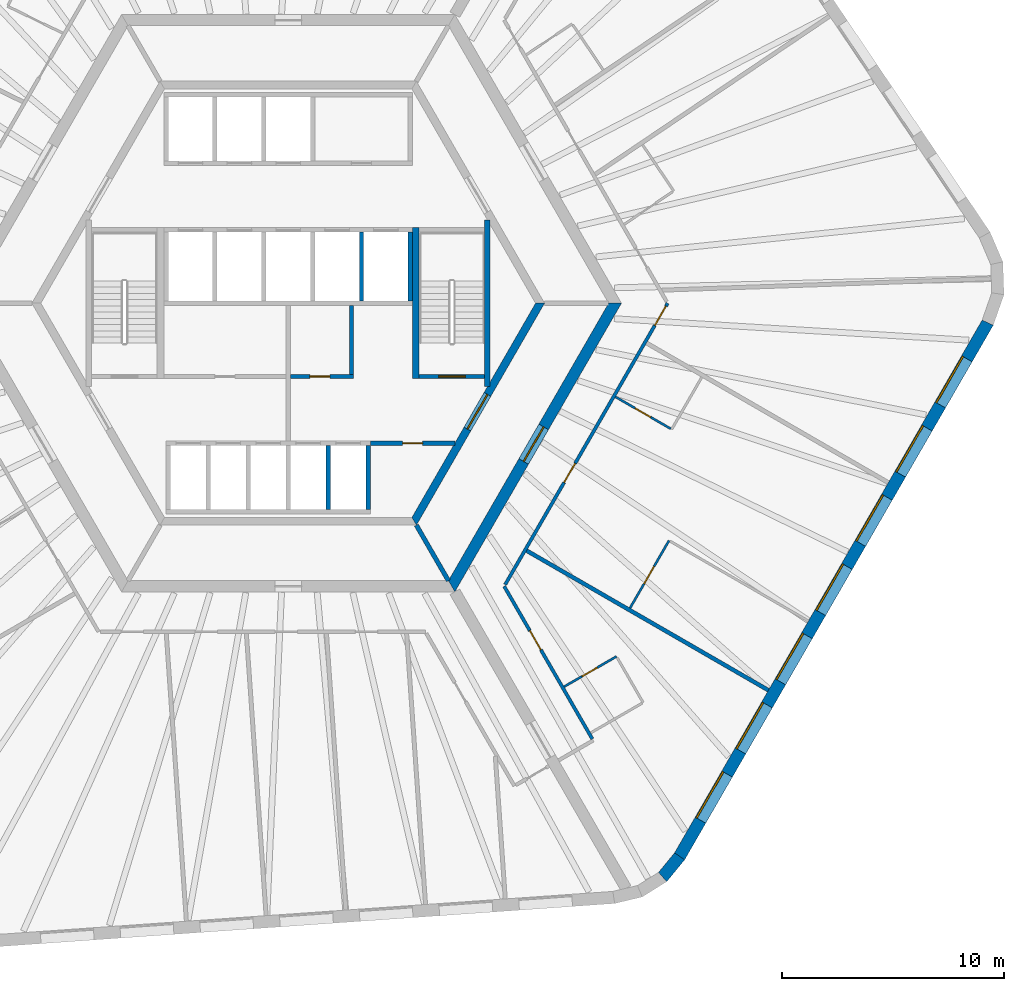
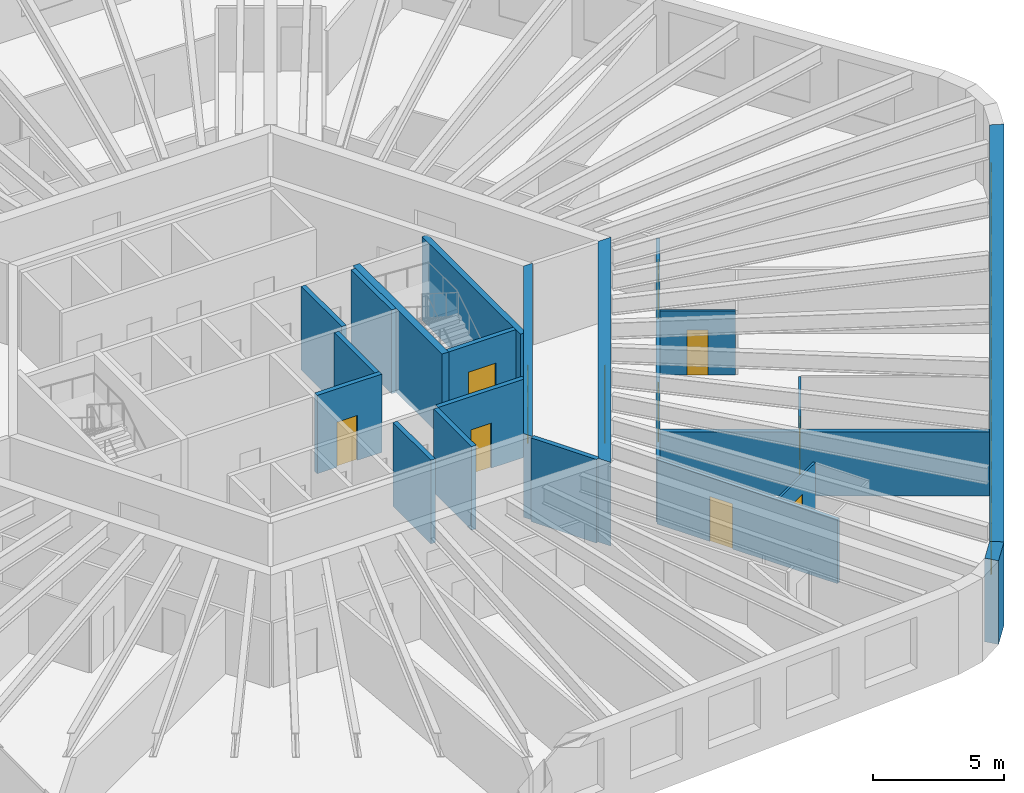
# One storey, part 5 of 10: 21 walls, 11 doors, 7 windows, 18 openings.
"""IFC4 building model written with IfcOpenShell, lengths in metres."""

from ifc_helpers import new_model, si_unit, direction, frame, frame_2d, origin, place, context, subcontext, project, spatial, polyline, rectangle, outline, extrude, material, layer, layer_set, type_object, element, fill, save


model = new_model("IFC4")

# Units and contexts
model_context = context("Model", 3, precision=1e-05, world=origin(), true_north=direction((0.0, 1.0)))
body_context = subcontext(model_context, "Body", "Model", "MODEL_VIEW")
ifc_project = project(units=[si_unit("LENGTHUNIT", "METRE"), si_unit("AREAUNIT", "SQUARE_METRE"), si_unit("VOLUMEUNIT", "CUBIC_METRE"), si_unit("PLANEANGLEUNIT", "RADIAN"), si_unit("MASSUNIT", "GRAM", prefix="KILO")], contexts=[model_context])

# Site, building, storey
site_placement = place(None, origin())
site = spatial("IfcSite", under=ifc_project, at=site_placement, CompositionType="ELEMENT")
building_placement = place(site_placement, origin())
building = spatial("IfcBuilding", under=site, at=building_placement, Name="Tarnside Tower", CompositionType="ELEMENT")
storey_placement = place(building_placement, frame((0.0, 0.0, 234.60009765625)))
storey = spatial("IfcBuildingStorey", under=building, at=storey_placement, Name="L56", CompositionType="ELEMENT", Elevation=234.60009765625)

# Wall, opening, door
ifc_material_1 = material(Name="Gypsum board partition on steel studs", Category="steel")
ifc_layer_1 = layer(ifc_material_1, 0.10009765625)
ifc_layer_set_1 = layer_set([ifc_layer_1], Name="Bathroom wall 100")
wall_type_1 = type_object("IfcWallType", Name="Bathroom wall 100", PredefinedType="PARTITIONING", material=ifc_layer_set_1)
wall_1_placement = place(storey_placement, frame((12.4267578125, -17.273681640625, 0.0), z_axis=(0.0, 0.0, 1.0), x_axis=(0.866051307416, 0.49995513091, 0.0)))
wall_1 = element("IfcWall", 1, at=wall_1_placement, inside=storey, type_object=wall_type_1, Name="Bathroom wall 18087", PredefinedType="PARTITIONING", context=body_context, shape_type="SweptSolid", body=[
    extrude(rectangle(XDim=2.724853515625, YDim=0.10009765625, at=frame_2d((1.3623046875, 0.0))), origin(), (0.0, 0.0, 1.0), 2.98779296875),
])
opening_1_placement = place(wall_1_placement, frame((0.925048828125, 0.0, 0.0)))
opening_1 = element("IfcOpeningElement", 2, at=opening_1_placement, cuts=wall_1, Name="Opening D-B1", PredefinedType="OPENING", context=body_context, shape_type="SweptSolid", body=[
    extrude(rectangle(XDim=0.800048828125, YDim=2.10009765625, at=frame_2d((0.39990234375, 1.050048828125))), frame((0.0, 0.06005859375, 0.0), z_axis=(0.0, -1.0, 0.0), x_axis=(1.0, 0.0, 0.0)), (0.0, 0.0, 1.0), 0.1201171875),
])
ifc_material_2 = material(Name="Timber door leaf", Category="wood")
door_type_1 = type_object("IfcDoorType", Name="Bathroom door 800", OperationType="NOTDEFINED", PredefinedType="DOOR", material=ifc_material_2)
door_1_placement = place(opening_1_placement, origin())
door_1 = element("IfcDoor", 3, at=door_1_placement, inside=storey, type_object=door_type_1, Name="Bathroom door 18025", OperationType="SINGLE_SWING_RIGHT", OverallHeight=2.10009765625, OverallWidth=0.800048828125, PredefinedType="DOOR", context=body_context, shape_type="SweptSolid", body=[
    extrude(rectangle(XDim=0.800048828125, YDim=2.10009765625, at=frame_2d((0.39990234375, 1.050048828125))), frame((0.0, 0.02490234375, 0.0), z_axis=(0.0, -1.0, 0.0), x_axis=(1.0, 0.0, 0.0)), (0.0, 0.0, 1.0), 0.050048828125),
])
fill(opening_1, door_1)

wall_2_placement = place(storey_placement, frame((17.23095703125, -5.6552734375, 0.0), z_axis=(0.0, 0.0, 1.0), x_axis=(-0.866039941686, 0.499974818771, 0.0)))
wall_2 = element("IfcWall", 4, at=wall_2_placement, inside=storey, type_object=wall_type_1, Name="Bathroom wall 18093", PredefinedType="PARTITIONING", context=body_context, shape_type="SweptSolid", body=[
    extrude(rectangle(XDim=2.875244140625, YDim=0.10009765625, at=frame_2d((1.4375, 0.0))), origin(), (0.0, 0.0, 1.0), 2.98779296875),
])
opening_2_placement = place(wall_2_placement, frame((1.050048828125, 0.0, 0.0)))
opening_2 = element("IfcOpeningElement", 5, at=opening_2_placement, cuts=wall_2, Name="Opening D-B1", PredefinedType="OPENING", context=body_context, shape_type="SweptSolid", body=[
    extrude(rectangle(XDim=0.800048828125, YDim=2.10009765625, at=frame_2d((0.39990234375, 1.050048828125))), frame((0.0, 0.06005859375, 0.0), z_axis=(0.0, -1.0, 0.0), x_axis=(1.0, 0.0, 0.0)), (0.0, 0.0, 1.0), 0.1201171875),
])
door_2_placement = place(opening_2_placement, origin())
door_2 = element("IfcDoor", 6, at=door_2_placement, inside=storey, type_object=door_type_1, Name="Bathroom door 18027", OperationType="SINGLE_SWING_LEFT", OverallHeight=2.10009765625, OverallWidth=0.800048828125, PredefinedType="DOOR", context=body_context, shape_type="SweptSolid", body=[
    extrude(rectangle(XDim=0.800048828125, YDim=2.10009765625, at=frame_2d((0.39990234375, 1.050048828125))), frame((0.0, 0.02490234375, 0.0), z_axis=(0.0, -1.0, 0.0), x_axis=(1.0, 0.0, 0.0)), (0.0, 0.0, 1.0), 0.050048828125),
])
fill(opening_2, door_2)

ifc_material_3 = material(Name="Concrete C50/60", Category="concrete")
ifc_layer_2 = layer(ifc_material_3, 0.35009765625)
ifc_layer_set_2 = layer_set([ifc_layer_2], Name="Core block wall 350 C50/60")
wall_type_2 = type_object("IfcWallType", Name="Core block wall 350 C50/60", PredefinedType="SHEAR", material=ifc_layer_set_2)
wall_3_placement = place(storey_placement, frame((5.672607421875, -9.824951171875, -0.150146484375), z_axis=(0.0, 0.0, 1.0), x_axis=(0.499995046907, 0.866028263435, 0.0)))
wall_3 = element("IfcWall", 7, at=wall_3_placement, inside=storey, type_object=wall_type_2, Name="L56 core block wall face 5", PredefinedType="SHEAR", context=body_context, shape_type="SweptSolid", body=[
    extrude(outline(polyline([(-0.10107421875, -0.175048828125), (11.44580078125, -0.175048828125), (11.24365234375, 0.175048828125), (0.10107421875, 0.175048828125), (-0.10107421875, -0.175048828125)])), origin(), (0.0, 0.0, 1.0), 3.900146484375),
])
opening_3_placement = place(wall_3_placement, frame((4.80126953125, 0.0, 0.14990234375)))
opening_3 = element("IfcOpeningElement", 8, at=opening_3_placement, cuts=wall_3, Name="Opening CD-FFL", PredefinedType="OPENING", context=body_context, shape_type="SweptSolid", body=[
    extrude(rectangle(XDim=1.800048828125, YDim=2.39990234375, at=frame_2d((0.89990234375, 1.199951171875))), frame((0.0, 0.18505859375, 0.0), z_axis=(0.0, -1.0, 0.0), x_axis=(1.0, 0.0, 0.0)), (0.0, 0.0, 1.0), 0.3701171875),
])
ifc_material_4 = material(Name="Steel fire door", Category="steel")
door_type_2 = type_object("IfcDoorType", Name="Firefighting lobby double door FD60S 1800x2400", OperationType="NOTDEFINED", PredefinedType="DOOR", material=ifc_material_4)
door_3_placement = place(opening_3_placement, origin())
door_3 = element("IfcDoor", 9, at=door_3_placement, inside=storey, type_object=door_type_2, Name="L56 lobby block door P4", OperationType="DOUBLE_DOOR_SINGLE_SWING", OverallHeight=2.39990234375, OverallWidth=1.800048828125, PredefinedType="DOOR", context=body_context, shape_type="SweptSolid", body=[
    extrude(rectangle(XDim=1.800048828125, YDim=2.39990234375, at=frame_2d((0.89990234375, 1.199951171875))), frame((0.0, 0.02490234375, 0.0), z_axis=(0.0, -1.0, 0.0), x_axis=(1.0, 0.0, 0.0)), (0.0, 0.0, 1.0), 0.050048828125),
])
fill(opening_3, door_3)

ifc_material_5 = material(Name="Concrete C40/50", Category="concrete")
ifc_layer_3 = layer(ifc_material_5, 0.199951171875)
ifc_layer_set_3 = layer_set([ifc_layer_3], Name="Core room partition 200 C40/50")
wall_type_3 = type_object("IfcWallType", Name="Core room partition 200 C40/50", PredefinedType="PARTITIONING", material=ifc_layer_set_3)
wall_4_placement = place(storey_placement, frame((0.10009765625, -3.300048828125, 0.0), z_axis=(0.0, 0.0, 1.0), x_axis=(1.0, 0.0, 0.0)))
wall_4 = element("IfcWall", 10, at=wall_4_placement, inside=storey, type_object=wall_type_3, Name="L56 core partition R3S1", PredefinedType="PARTITIONING", context=body_context, shape_type="SweptSolid", body=[
    extrude(rectangle(XDim=2.849853515625, YDim=0.199951171875, at=frame_2d((1.4248046875, 0.0))), origin(), (0.0, 0.0, 1.0), 3.64990234375),
])
opening_4_placement = place(wall_4_placement, frame((0.875, 0.0, 0.0)))
opening_4 = element("IfcOpeningElement", 11, at=opening_4_placement, cuts=wall_4, Name="Opening CD-room", PredefinedType="OPENING", context=body_context, shape_type="SweptSolid", body=[
    extrude(rectangle(XDim=0.89990234375, YDim=2.10009765625, at=frame_2d((0.449951171875, 1.050048828125))), frame((0.0, 0.10986328125, 0.0), z_axis=(0.0, -1.0, 0.0), x_axis=(1.0, 0.0, 0.0)), (0.0, 0.0, 1.0), 0.219970703125),
])
door_type_3 = type_object("IfcDoorType", Name="Room door FD60 900x2100", OperationType="NOTDEFINED", PredefinedType="DOOR", material=ifc_material_4)
door_4_placement = place(opening_4_placement, origin())
door_4 = element("IfcDoor", 12, at=door_4_placement, inside=storey, type_object=door_type_3, Name="L56 core room door SR1", OperationType="SINGLE_SWING_LEFT", OverallHeight=2.10009765625, OverallWidth=0.89990234375, PredefinedType="DOOR", context=body_context, shape_type="SweptSolid", body=[
    extrude(rectangle(XDim=0.89990234375, YDim=2.10009765625, at=frame_2d((0.449951171875, 1.050048828125))), frame((0.0, 0.02490234375, 0.0), z_axis=(0.0, -1.0, 0.0), x_axis=(1.0, 0.0, 0.0)), (0.0, 0.0, 1.0), 0.050048828125),
])
fill(opening_4, door_4)

# Wall
wall_5_placement = place(storey_placement, frame((2.85009765625, -3.199951171875, 0.0), z_axis=(0.0, 0.0, 1.0), x_axis=(0.0, 1.0, 0.0)))
element("IfcWall", 13, at=wall_5_placement, inside=storey, type_object=wall_type_3, Name="L56 core partition R3P1b", PredefinedType="PARTITIONING", context=body_context, shape_type="SweptSolid", body=[
    extrude(rectangle(XDim=3.099853515625, YDim=0.199951171875, at=frame_2d((1.5498046875, 0.0))), origin(), (0.0, 0.0, 1.0), 3.64990234375),
])

# Wall, opening, door
wall_6_placement = place(storey_placement, frame((3.699951171875, -6.300048828125, 0.0), z_axis=(0.0, 0.0, 1.0), x_axis=(1.0, 0.0, 0.0)))
wall_6 = element("IfcWall", 14, at=wall_6_placement, inside=storey, type_object=wall_type_3, Name="L56 core partition R4X", PredefinedType="PARTITIONING", context=body_context, shape_type="SweptSolid", body=[
    extrude(rectangle(XDim=3.8056640625, YDim=0.199951171875, at=frame_2d((1.90283203125, 0.0))), origin(), (0.0, 0.0, 1.0), 3.64990234375),
])
opening_5_placement = place(wall_6_placement, frame((1.452880859375, 0.0, 0.0)))
opening_5 = element("IfcOpeningElement", 15, at=opening_5_placement, cuts=wall_6, Name="Opening CD-room", PredefinedType="OPENING", context=body_context, shape_type="SweptSolid", body=[
    extrude(rectangle(XDim=0.89990234375, YDim=2.10009765625, at=frame_2d((0.449951171875, 1.050048828125))), frame((0.0, 0.10986328125, 0.0), z_axis=(0.0, -1.0, 0.0), x_axis=(1.0, 0.0, 0.0)), (0.0, 0.0, 1.0), 0.219970703125),
])
door_5_placement = place(opening_5_placement, origin())
door_5 = element("IfcDoor", 16, at=door_5_placement, inside=storey, type_object=door_type_3, Name="L56 core room door RX", OperationType="SINGLE_SWING_LEFT", OverallHeight=2.10009765625, OverallWidth=0.89990234375, PredefinedType="DOOR", context=body_context, shape_type="SweptSolid", body=[
    extrude(rectangle(XDim=0.89990234375, YDim=2.10009765625, at=frame_2d((0.449951171875, 1.050048828125))), frame((0.0, 0.02490234375, 0.0), z_axis=(0.0, -1.0, 0.0), x_axis=(1.0, 0.0, 0.0)), (0.0, 0.0, 1.0), 0.050048828125),
])
fill(opening_5, door_5)

ifc_material_6 = material(Name="Concrete C70/85", Category="concrete")
ifc_layer_4 = layer(ifc_material_6, 0.5)
ifc_layer_set_4 = layer_set([ifc_layer_4], Name="Core wall Z2 500 C70/85")
wall_type_4 = type_object("IfcWallType", Name="Core wall Z2 500 C70/85", PredefinedType="SHEAR", material=ifc_layer_set_4)
wall_7_placement = place(storey_placement, frame((7.361083984375, -12.75, -0.150146484375), z_axis=(0.0, 0.0, 1.0), x_axis=(0.50000571537, 0.866022103989, 0.0)))
wall_7 = element("IfcWall", 17, at=wall_7_placement, inside=storey, type_object=wall_type_4, Name="L56 core wall face 5", PredefinedType="SHEAR", context=body_context, shape_type="SweptSolid", body=[
    extrude(outline(polyline([(-0.144287109375, -0.25), (14.86669921875, -0.25), (14.578125, 0.25), (0.144287109375, 0.25), (-0.144287109375, -0.25)])), origin(), (0.0, 0.0, 1.0), 3.900146484375),
])
opening_6_placement = place(wall_7_placement, frame((6.489990234375, 0.0, 0.14990234375)))
opening_6 = element("IfcOpeningElement", 18, at=opening_6_placement, cuts=wall_7, Name="Opening CD-FFL", PredefinedType="OPENING", context=body_context, shape_type="SweptSolid", body=[
    extrude(rectangle(XDim=1.800048828125, YDim=2.39990234375, at=frame_2d((0.89990234375, 1.199951171875))), frame((0.0, 0.260009765625, 0.0), z_axis=(0.0, -1.0, 0.0), x_axis=(1.0, 0.0, 0.0)), (0.0, 0.0, 1.0), 0.52001953125),
])
door_6_placement = place(opening_6_placement, origin())
door_6 = element("IfcDoor", 19, at=door_6_placement, inside=storey, type_object=door_type_2, Name="L56 core door P4", OperationType="DOUBLE_DOOR_SINGLE_SWING", OverallHeight=2.39990234375, OverallWidth=1.800048828125, PredefinedType="DOOR", context=body_context, shape_type="SweptSolid", body=[
    extrude(rectangle(XDim=1.800048828125, YDim=2.39990234375, at=frame_2d((0.89990234375, 1.199951171875))), frame((0.0, 0.02490234375, 0.0), z_axis=(0.0, -1.0, 0.0), x_axis=(1.0, 0.0, 0.0)), (0.0, 0.0, 1.0), 0.050048828125),
])
fill(opening_6, door_6)

ifc_layer_5 = layer(ifc_material_1, 0.14990234375)
ifc_layer_set_5 = layer_set([ifc_layer_5], Name="Corridor wall 150 EI 60")
wall_type_5 = type_object("IfcWallType", Name="Corridor wall 150 EI 60", PredefinedType="PARTITIONING", material=ifc_layer_set_5)
wall_8_placement = place(storey_placement, frame((13.69921875, -19.6279296875, 0.0), z_axis=(0.0, 0.0, 1.0), x_axis=(-0.499997422768, 0.866026891745, 0.0)))
wall_8 = element("IfcWall", 20, at=wall_8_placement, inside=storey, type_object=wall_type_5, Name="Corridor wall 18034", PredefinedType="PARTITIONING", context=body_context, shape_type="SweptSolid", body=[
    extrude(rectangle(XDim=7.94189453125, YDim=0.14990234375, at=frame_2d((3.970947265625, 0.0))), origin(), (0.0, 0.0, 1.0), 2.98779296875),
])
opening_7_placement = place(wall_8_placement, frame((4.633544921875, 0.0, 0.0)))
opening_7 = element("IfcOpeningElement", 21, at=opening_7_placement, cuts=wall_8, Name="Opening D-E1", PredefinedType="OPENING", context=body_context, shape_type="SweptSolid", body=[
    extrude(rectangle(XDim=1.0, YDim=2.10009765625, at=frame_2d((0.5, 1.050048828125))), frame((0.0, 0.0849609375, 0.0), z_axis=(0.0, -1.0, 0.0), x_axis=(1.0, 0.0, 0.0)), (0.0, 0.0, 1.0), 0.169921875),
])
door_type_4 = type_object("IfcDoorType", Name="Unit entrance door 1000 FD30S", OperationType="NOTDEFINED", PredefinedType="DOOR", material=ifc_material_2)
door_7_placement = place(opening_7_placement, origin())
door_7 = element("IfcDoor", 22, at=door_7_placement, inside=storey, type_object=door_type_4, Name="Unit door 18024", OperationType="SINGLE_SWING_LEFT", OverallHeight=2.10009765625, OverallWidth=1.0, PredefinedType="DOOR", context=body_context, shape_type="SweptSolid", body=[
    extrude(rectangle(XDim=1.0, YDim=2.10009765625, at=frame_2d((0.5, 1.050048828125))), frame((0.0, 0.02490234375, 0.0), z_axis=(0.0, -1.0, 0.0), x_axis=(1.0, 0.0, 0.0)), (0.0, 0.0, 1.0), 0.050048828125),
])
fill(opening_7, door_7)

# Wall, openings, doors
wall_9_placement = place(storey_placement, frame((9.771728515625, -12.675048828125, 0.0), z_axis=(0.0, 0.0, 1.0), x_axis=(0.499996322767, 0.866027526826, 0.0)))
wall_9 = element("IfcWall", 23, at=wall_9_placement, inside=storey, type_object=wall_type_5, Name="Corridor wall 18035", PredefinedType="PARTITIONING", context=body_context, shape_type="SweptSolid", body=[
    extrude(rectangle(XDim=14.6357421875, YDim=0.14990234375, at=frame_2d((7.31787109375, 0.0))), origin(), (0.0, 0.0, 1.0), 2.98779296875),
])
opening_8_placement = place(wall_9_placement, frame((5.308837890625, 0.0, 0.0)))
opening_8 = element("IfcOpeningElement", 24, at=opening_8_placement, cuts=wall_9, Name="Opening D-E1", PredefinedType="OPENING", context=body_context, shape_type="SweptSolid", body=[
    extrude(rectangle(XDim=1.0, YDim=2.10009765625, at=frame_2d((0.5, 1.050048828125))), frame((0.0, 0.0849609375, 0.0), z_axis=(0.0, -1.0, 0.0), x_axis=(1.0, 0.0, 0.0)), (0.0, 0.0, 1.0), 0.169921875),
])
opening_9_placement = place(wall_9_placement, frame((13.48583984375, 0.0, 0.0)))
opening_9 = element("IfcOpeningElement", 25, at=opening_9_placement, cuts=wall_9, Name="Opening D-E1", PredefinedType="OPENING", context=body_context, shape_type="SweptSolid", body=[
    extrude(rectangle(XDim=1.0, YDim=2.10009765625, at=frame_2d((0.5, 1.050048828125))), frame((0.0, 0.0849609375, 0.0), z_axis=(0.0, -1.0, 0.0), x_axis=(1.0, 0.0, 0.0)), (0.0, 0.0, 1.0), 0.169921875),
])
door_8_placement = place(opening_8_placement, origin())
door_8 = element("IfcDoor", 26, at=door_8_placement, inside=storey, type_object=door_type_4, Name="Unit door 18026", OperationType="SINGLE_SWING_LEFT", OverallHeight=2.10009765625, OverallWidth=1.0, PredefinedType="DOOR", context=body_context, shape_type="SweptSolid", body=[
    extrude(rectangle(XDim=1.0, YDim=2.10009765625, at=frame_2d((0.5, 1.050048828125))), frame((0.0, 0.02490234375, 0.0), z_axis=(0.0, -1.0, 0.0), x_axis=(1.0, 0.0, 0.0)), (0.0, 0.0, 1.0), 0.050048828125),
])
fill(opening_8, door_8)
door_9_placement = place(opening_9_placement, origin())
door_9 = element("IfcDoor", 27, at=door_9_placement, inside=storey, type_object=door_type_4, Name="Unit door 18029", OperationType="SINGLE_SWING_LEFT", OverallHeight=2.10009765625, OverallWidth=1.0, PredefinedType="DOOR", context=body_context, shape_type="SweptSolid", body=[
    extrude(rectangle(XDim=1.0, YDim=2.10009765625, at=frame_2d((0.5, 1.050048828125))), frame((0.0, 0.02490234375, 0.0), z_axis=(0.0, -1.0, 0.0), x_axis=(1.0, 0.0, 0.0)), (0.0, 0.0, 1.0), 0.050048828125),
])
fill(opening_9, door_9)

# Walls
ifc_layer_6 = layer(ifc_material_1, 0.179931640625)
ifc_layer_set_6 = layer_set([ifc_layer_6], Name="Demising wall 180 EI 60")
wall_type_6 = type_object("IfcWallType", Name="Demising wall 180 EI 60", PredefinedType="PARTITIONING", material=ifc_layer_set_6)
wall_10_placement = place(storey_placement, frame((21.63134765625, -17.433349609375, 0.0), z_axis=(0.0, 0.0, 1.0), x_axis=(-0.866032662629, 0.499987427101, 0.0)))
element("IfcWall", 28, at=wall_10_placement, inside=storey, type_object=wall_type_6, Name="Demising wall 18090", PredefinedType="PARTITIONING", context=body_context, shape_type="SweptSolid", body=[
    extrude(rectangle(XDim=12.574951171875, YDim=0.179931640625, at=frame_2d((6.28759765625, 0.0))), origin(), (0.0, 0.0, 1.0), 2.98779296875),
])
ifc_layer_7 = layer(ifc_material_5, 0.199951171875)
ifc_layer_set_7 = layer_set([ifc_layer_7], Name="Lift shaft wall 200 C40/50")
wall_type_7 = type_object("IfcWallType", Name="Lift shaft wall 200 C40/50", PredefinedType="SHEAR", material=ifc_layer_set_7)
for number, where, z_axis, x_axis, name in (
    (29, (3.300048828125, 0.10009765625, -0.25), (0.0, 0.0, 1.0), (0.0, 1.0, 0.0), "L56 lift shaft partition R25"),
    (30, (5.5, 0.10009765625, -0.25), (0.0, 0.0, 1.0), (0.0, 1.0, 0.0), "L56 lift shaft partition R26"),
):
    element("IfcWall", number, at=place(storey_placement, frame(where, z_axis=z_axis, x_axis=x_axis)), inside=storey, type_object=wall_type_7, Name=name, PredefinedType="SHEAR", context=body_context, shape_type="SweptSolid", body=[
        extrude(rectangle(XDim=3.099853515625, YDim=0.199951171875, at=frame_2d((1.5498046875, 0.0))), origin(), (0.0, 0.0, 1.0), 3.89990234375),
    ])
for number, where, z_axis, x_axis, name in (
    (31, (1.800048828125, -9.300048828125, -0.25), (0.0, 0.0, 1.0), (0.0, 1.0, 0.0), "L56 lift shaft partition R45"),
    (32, (3.60009765625, -9.300048828125, -0.25), (0.0, 0.0, 1.0), (0.0, 1.0, 0.0), "L56 lift shaft partition R46"),
):
    element("IfcWall", number, at=place(storey_placement, frame(where, z_axis=z_axis, x_axis=x_axis)), inside=storey, type_object=wall_type_7, Name=name, PredefinedType="SHEAR", context=body_context, shape_type="SweptSolid", body=[
        extrude(rectangle(XDim=2.900146484375, YDim=0.199951171875, at=frame_2d((1.4501953125, 0.0))), origin(), (0.0, 0.0, 1.0), 3.89990234375),
    ])
wall_11_placement = place(storey_placement, frame((5.7734375, -10.0, -0.150146484375), z_axis=(0.0, 0.0, 1.0), x_axis=(0.499995765644, -0.866027848477, 0.0)))
element("IfcWall", 33, at=wall_11_placement, inside=storey, type_object=wall_type_7, Name="L56 core partition AR300", PredefinedType="SHEAR", context=body_context, shape_type="SweptSolid", body=[
    extrude(rectangle(XDim=2.88671875, YDim=0.199951171875, at=frame_2d((1.443359375, 0.0))), origin(), (0.0, 0.0, 1.0), 3.900146484375),
])

# Wall, opening, door
wall_12_placement = place(storey_placement, frame((5.89990234375, -3.300048828125, -0.25), z_axis=(0.0, 0.0, 1.0), x_axis=(1.0, 0.0, 0.0)))
wall_12 = element("IfcWall", 34, at=wall_12_placement, inside=storey, type_object=wall_type_7, Name="L56 stair 1 enclosure cap wall s", PredefinedType="SHEAR", context=body_context, shape_type="SweptSolid", body=[
    extrude(rectangle(XDim=2.9501953125, YDim=0.199951171875, at=frame_2d((1.47509765625, 0.0))), origin(), (0.0, 0.0, 1.0), 3.89990234375),
])
opening_10_placement = place(wall_12_placement, frame((0.875, 0.0, 0.25)))
opening_10 = element("IfcOpeningElement", 35, at=opening_10_placement, cuts=wall_12, Name="Opening CD-STR", PredefinedType="OPENING", context=body_context, shape_type="SweptSolid", body=[
    extrude(rectangle(XDim=1.199951171875, YDim=2.39990234375, at=frame_2d((0.60009765625, 1.199951171875))), frame((0.0, 0.10986328125, 0.0), z_axis=(0.0, -1.0, 0.0), x_axis=(1.0, 0.0, 0.0)), (0.0, 0.0, 1.0), 0.219970703125),
])
door_type_5 = type_object("IfcDoorType", Name="Stair door FD60S 1200x2400", OperationType="NOTDEFINED", PredefinedType="DOOR", material=ifc_material_4)
door_10_placement = place(opening_10_placement, origin())
door_10 = element("IfcDoor", 36, at=door_10_placement, inside=storey, type_object=door_type_5, Name="L56 stair 1 door", OperationType="SINGLE_SWING_LEFT", OverallHeight=2.39990234375, OverallWidth=1.199951171875, PredefinedType="DOOR", context=body_context, shape_type="SweptSolid", body=[
    extrude(rectangle(XDim=1.199951171875, YDim=2.39990234375, at=frame_2d((0.60009765625, 1.199951171875))), frame((0.0, 0.02490234375, 0.0), z_axis=(0.0, -1.0, 0.0), x_axis=(1.0, 0.0, 0.0)), (0.0, 0.0, 1.0), 0.050048828125),
])
fill(opening_10, door_10)

ifc_layer_8 = layer(ifc_material_1, 0.10009765625)
ifc_layer_set_8 = layer_set([ifc_layer_8], Name="Partition 100")
wall_type_8 = type_object("IfcWallType", Name="Partition 100", PredefinedType="PARTITIONING", material=ifc_layer_set_8)
wall_13_placement = place(storey_placement, frame((15.397705078125, -13.73046875, 0.0), z_axis=(0.0, 0.0, 1.0), x_axis=(0.499969314921, 0.866043119098, 0.0)))
wall_13 = element("IfcWall", 37, at=wall_13_placement, inside=storey, type_object=wall_type_8, Name="Partition wall 18094", PredefinedType="PARTITIONING", context=body_context, shape_type="SweptSolid", body=[
    extrude(rectangle(XDim=3.510009765625, YDim=0.10009765625, at=frame_2d((1.7548828125, 0.0))), origin(), (0.0, 0.0, 1.0), 2.98779296875),
])
opening_11_placement = place(wall_13_placement, frame((1.260009765625, 0.0, 0.0)))
opening_11 = element("IfcOpeningElement", 38, at=opening_11_placement, cuts=wall_13, Name="Opening D-I1", PredefinedType="OPENING", context=body_context, shape_type="SweptSolid", body=[
    extrude(rectangle(XDim=0.89990234375, YDim=2.10009765625, at=frame_2d((0.449951171875, 1.050048828125))), frame((0.0, 0.06005859375, 0.0), z_axis=(0.0, -1.0, 0.0), x_axis=(1.0, 0.0, 0.0)), (0.0, 0.0, 1.0), 0.1201171875),
])
door_type_6 = type_object("IfcDoorType", Name="Internal door 900", OperationType="NOTDEFINED", PredefinedType="DOOR", material=ifc_material_2)
door_11_placement = place(opening_11_placement, origin())
door_11 = element("IfcDoor", 39, at=door_11_placement, inside=storey, type_object=door_type_6, Name="Internal door 18028", OperationType="SINGLE_SWING_RIGHT", OverallHeight=2.10009765625, OverallWidth=0.89990234375, PredefinedType="DOOR", context=body_context, shape_type="SweptSolid", body=[
    extrude(rectangle(XDim=0.89990234375, YDim=2.10009765625, at=frame_2d((0.449951171875, 1.050048828125))), frame((0.0, 0.02490234375, 0.0), z_axis=(0.0, -1.0, 0.0), x_axis=(1.0, 0.0, 0.0)), (0.0, 0.0, 1.0), 0.050048828125),
])
fill(opening_11, door_11)

# Walls
ifc_layer_9 = layer(ifc_material_5, 0.25)
ifc_layer_set_9 = layer_set([ifc_layer_9], Name="Stair enclosure wall 250 C40/50")
wall_type_9 = type_object("IfcWallType", Name="Stair enclosure wall 250 C40/50", PredefinedType="SHEAR", material=ifc_layer_set_9)
wall_14_placement = place(storey_placement, frame((8.97509765625, -3.7548828125, -0.25), z_axis=(0.0, 0.0, 1.0), x_axis=(0.0, 1.0, 0.0)))
element("IfcWall", 40, at=wall_14_placement, inside=storey, type_object=wall_type_9, Name="L56 stair 1 enclosure wall outer", PredefinedType="SHEAR", context=body_context, shape_type="SweptSolid", body=[
    extrude(rectangle(XDim=7.509765625, YDim=0.25, at=frame_2d((3.7548828125, 0.0))), origin(), (0.0, 0.0, 1.0), 3.89990234375),
])
ifc_layer_10 = layer(ifc_material_5, 0.300048828125)
ifc_layer_set_10 = layer_set([ifc_layer_10], Name="Stair enclosure wall 300 C40/50")
wall_type_10 = type_object("IfcWallType", Name="Stair enclosure wall 300 C40/50", PredefinedType="SHEAR", material=ifc_layer_set_10)
wall_15_placement = place(storey_placement, frame((5.75, -3.39990234375, -0.25), z_axis=(0.0, 0.0, 1.0), x_axis=(0.0, 1.0, 0.0)))
element("IfcWall", 41, at=wall_15_placement, inside=storey, type_object=wall_type_10, Name="L56 stair 1 enclosure wall inner", PredefinedType="SHEAR", context=body_context, shape_type="SweptSolid", body=[
    extrude(rectangle(XDim=6.7998046875, YDim=0.300048828125, at=frame_2d((3.39990234375, 0.0))), origin(), (0.0, 0.0, 1.0), 3.89990234375),
])
ifc_material_7 = material(Name="Facing brick", Category="masonry")
ifc_layer_11 = layer(ifc_material_7, 0.10205078125)
ifc_material_8 = material(Name="Concrete C60/75 precast", Category="concrete")
ifc_layer_12 = layer(ifc_material_8, 0.347900390625)
ifc_material_9 = material(Name="Mineral wool insulation")
ifc_layer_13 = layer(ifc_material_9, 0.10009765625)
ifc_layer_set_11 = layer_set([ifc_layer_11, ifc_layer_12, ifc_layer_13], Name="Tube wall 550 brick faced")
wall_type_11 = type_object("IfcWallType", Name="Tube wall 550 brick faced", PredefinedType="SOLIDWALL", material=ifc_layer_set_11)
wall_16_placement = place(storey_placement, frame((16.8642578125, -25.848388671875, -0.150146484375), z_axis=(0.0, 0.0, 1.0), x_axis=(0.633842757806, 0.773461930787, 0.0)))
element("IfcWall", 42, at=wall_16_placement, inside=storey, type_object=wall_type_11, Name="Tube wall L56 F4 chord 15", PredefinedType="SOLIDWALL", context=body_context, shape_type="SweptSolid", body=[
    extrude(outline(polyline([(-0.045166015625, -0.27490234375), (1.230712890625, -0.27490234375), (1.185791015625, 0.27490234375), (0.045166015625, 0.27490234375), (-0.045166015625, -0.27490234375)])), origin(), (0.0, 0.0, 1.0), 3.900146484375),
])

# Wall, openings, windows
wall_17_placement = place(storey_placement, frame((17.630126953125, -24.913818359375, -0.150146484375), z_axis=(0.0, 0.0, 1.0), x_axis=(0.499998569178, 0.866026229868, 0.0)))
wall_17 = element("IfcWall", 43, at=wall_17_placement, inside=storey, type_object=wall_type_11, Name="Tube wall L56 F5 flush 16", PredefinedType="SOLIDWALL", context=body_context, shape_type="SweptSolid", body=[
    extrude(outline(polyline([(-0.0224609375, -0.27490234375), (27.783447265625, -0.27490234375), (27.732177734375, 0.27490234375), (0.0224609375, 0.27490234375), (-0.0224609375, -0.27490234375)])), origin(), (0.0, 0.0, 1.0), 3.900146484375),
])
opening_12_placement = place(wall_17_placement, frame((1.87890625, 0.0, 1.050048828125)))
opening_12 = element("IfcOpeningElement", 44, at=opening_12_placement, cuts=wall_17, Name="Opening WH", PredefinedType="OPENING", context=body_context, shape_type="SweptSolid", body=[
    extrude(rectangle(XDim=2.39990234375, YDim=2.39990234375, at=frame_2d((1.199951171875, 1.199951171875))), frame((0.0, 0.28515625, 0.0), z_axis=(0.0, -1.0, 0.0), x_axis=(1.0, 0.0, 0.0)), (0.0, 0.0, 1.0), 0.570068359375),
])
opening_13_placement = place(wall_17_placement, frame((5.47900390625, 0.0, 1.050048828125)))
opening_13 = element("IfcOpeningElement", 45, at=opening_13_placement, cuts=wall_17, Name="Opening WH", PredefinedType="OPENING", context=body_context, shape_type="SweptSolid", body=[
    extrude(rectangle(XDim=2.39990234375, YDim=2.39990234375, at=frame_2d((1.199951171875, 1.199951171875))), frame((0.0, 0.28515625, 0.0), z_axis=(0.0, -1.0, 0.0), x_axis=(1.0, 0.0, 0.0)), (0.0, 0.0, 1.0), 0.570068359375),
])
opening_14_placement = place(wall_17_placement, frame((9.078857421875, 0.0, 1.050048828125)))
opening_14 = element("IfcOpeningElement", 46, at=opening_14_placement, cuts=wall_17, Name="Opening WH", PredefinedType="OPENING", context=body_context, shape_type="SweptSolid", body=[
    extrude(rectangle(XDim=2.39990234375, YDim=2.39990234375, at=frame_2d((1.199951171875, 1.199951171875))), frame((0.0, 0.28515625, 0.0), z_axis=(0.0, -1.0, 0.0), x_axis=(1.0, 0.0, 0.0)), (0.0, 0.0, 1.0), 0.570068359375),
])
opening_15_placement = place(wall_17_placement, frame((12.678955078125, 0.0, 1.050048828125)))
opening_15 = element("IfcOpeningElement", 47, at=opening_15_placement, cuts=wall_17, Name="Opening WH", PredefinedType="OPENING", context=body_context, shape_type="SweptSolid", body=[
    extrude(rectangle(XDim=2.39990234375, YDim=2.39990234375, at=frame_2d((1.199951171875, 1.199951171875))), frame((0.0, 0.28515625, 0.0), z_axis=(0.0, -1.0, 0.0), x_axis=(1.0, 0.0, 0.0)), (0.0, 0.0, 1.0), 0.570068359375),
])
opening_16_placement = place(wall_17_placement, frame((16.27880859375, 0.0, 1.050048828125)))
opening_16 = element("IfcOpeningElement", 48, at=opening_16_placement, cuts=wall_17, Name="Opening WH", PredefinedType="OPENING", context=body_context, shape_type="SweptSolid", body=[
    extrude(rectangle(XDim=2.39990234375, YDim=2.39990234375, at=frame_2d((1.199951171875, 1.199951171875))), frame((0.0, 0.28515625, 0.0), z_axis=(0.0, -1.0, 0.0), x_axis=(1.0, 0.0, 0.0)), (0.0, 0.0, 1.0), 0.570068359375),
])
opening_17_placement = place(wall_17_placement, frame((19.87890625, 0.0, 1.050048828125)))
opening_17 = element("IfcOpeningElement", 49, at=opening_17_placement, cuts=wall_17, Name="Opening WH", PredefinedType="OPENING", context=body_context, shape_type="SweptSolid", body=[
    extrude(rectangle(XDim=2.39990234375, YDim=2.39990234375, at=frame_2d((1.199951171875, 1.199951171875))), frame((0.0, 0.28515625, 0.0), z_axis=(0.0, -1.0, 0.0), x_axis=(1.0, 0.0, 0.0)), (0.0, 0.0, 1.0), 0.570068359375),
])
opening_18_placement = place(wall_17_placement, frame((23.47900390625, 0.0, 1.050048828125)))
opening_18 = element("IfcOpeningElement", 50, at=opening_18_placement, cuts=wall_17, Name="Opening WH", PredefinedType="OPENING", context=body_context, shape_type="SweptSolid", body=[
    extrude(rectangle(XDim=2.39990234375, YDim=2.39990234375, at=frame_2d((1.199951171875, 1.199951171875))), frame((0.0, 0.28515625, 0.0), z_axis=(0.0, -1.0, 0.0), x_axis=(1.0, 0.0, 0.0)), (0.0, 0.0, 1.0), 0.570068359375),
])
ifc_material_10 = material(Name="Aluminium-framed double glazing", Category="aluminium")
window_type = type_object("IfcWindowType", Name="Hotel window 2400 x 2400", PartitioningType="DOUBLE_PANEL_VERTICAL", PredefinedType="WINDOW", material=ifc_material_10)
window_1_placement = place(opening_12_placement, frame((0.0, 0.205078125, 0.0)))
window_1 = element("IfcWindow", 51, at=window_1_placement, inside=storey, type_object=window_type, Name="E.WN.L56.F5.00", OverallHeight=2.39990234375, OverallWidth=2.39990234375, PartitioningType="DOUBLE_PANEL_VERTICAL", PredefinedType="WINDOW", context=body_context, shape_type="SweptSolid", body=[
    extrude(rectangle(XDim=2.39990234375, YDim=2.39990234375, at=frame_2d((1.199951171875, 1.199951171875))), frame((0.0, 0.030029296875, 0.0), z_axis=(0.0, -1.0, 0.0), x_axis=(1.0, 0.0, 0.0)), (0.0, 0.0, 1.0), 0.06005859375),
])
fill(opening_12, window_1)
window_2_placement = place(opening_13_placement, frame((0.0, 0.205078125, 0.0)))
window_2 = element("IfcWindow", 52, at=window_2_placement, inside=storey, type_object=window_type, Name="E.WN.L56.F5.01", OverallHeight=2.39990234375, OverallWidth=2.39990234375, PartitioningType="DOUBLE_PANEL_VERTICAL", PredefinedType="WINDOW", context=body_context, shape_type="SweptSolid", body=[
    extrude(rectangle(XDim=2.39990234375, YDim=2.39990234375, at=frame_2d((1.199951171875, 1.199951171875))), frame((0.0, 0.030029296875, 0.0), z_axis=(0.0, -1.0, 0.0), x_axis=(1.0, 0.0, 0.0)), (0.0, 0.0, 1.0), 0.06005859375),
])
fill(opening_13, window_2)
window_3_placement = place(opening_14_placement, frame((0.0, 0.205078125, 0.0)))
window_3 = element("IfcWindow", 53, at=window_3_placement, inside=storey, type_object=window_type, Name="E.WN.L56.F5.02", OverallHeight=2.39990234375, OverallWidth=2.39990234375, PartitioningType="DOUBLE_PANEL_VERTICAL", PredefinedType="WINDOW", context=body_context, shape_type="SweptSolid", body=[
    extrude(rectangle(XDim=2.39990234375, YDim=2.39990234375, at=frame_2d((1.199951171875, 1.199951171875))), frame((0.0, 0.030029296875, 0.0), z_axis=(0.0, -1.0, 0.0), x_axis=(1.0, 0.0, 0.0)), (0.0, 0.0, 1.0), 0.06005859375),
])
fill(opening_14, window_3)
window_4_placement = place(opening_15_placement, frame((0.0, 0.205078125, 0.0)))
window_4 = element("IfcWindow", 54, at=window_4_placement, inside=storey, type_object=window_type, Name="E.WN.L56.F5.03", OverallHeight=2.39990234375, OverallWidth=2.39990234375, PartitioningType="DOUBLE_PANEL_VERTICAL", PredefinedType="WINDOW", context=body_context, shape_type="SweptSolid", body=[
    extrude(rectangle(XDim=2.39990234375, YDim=2.39990234375, at=frame_2d((1.199951171875, 1.199951171875))), frame((0.0, 0.030029296875, 0.0), z_axis=(0.0, -1.0, 0.0), x_axis=(1.0, 0.0, 0.0)), (0.0, 0.0, 1.0), 0.06005859375),
])
fill(opening_15, window_4)
window_5_placement = place(opening_16_placement, frame((0.0, 0.205078125, 0.0)))
window_5 = element("IfcWindow", 55, at=window_5_placement, inside=storey, type_object=window_type, Name="E.WN.L56.F5.04", OverallHeight=2.39990234375, OverallWidth=2.39990234375, PartitioningType="DOUBLE_PANEL_VERTICAL", PredefinedType="WINDOW", context=body_context, shape_type="SweptSolid", body=[
    extrude(rectangle(XDim=2.39990234375, YDim=2.39990234375, at=frame_2d((1.199951171875, 1.199951171875))), frame((0.0, 0.030029296875, 0.0), z_axis=(0.0, -1.0, 0.0), x_axis=(1.0, 0.0, 0.0)), (0.0, 0.0, 1.0), 0.06005859375),
])
fill(opening_16, window_5)
window_6_placement = place(opening_17_placement, frame((0.0, 0.205078125, 0.0)))
window_6 = element("IfcWindow", 56, at=window_6_placement, inside=storey, type_object=window_type, Name="E.WN.L56.F5.05", OverallHeight=2.39990234375, OverallWidth=2.39990234375, PartitioningType="DOUBLE_PANEL_VERTICAL", PredefinedType="WINDOW", context=body_context, shape_type="SweptSolid", body=[
    extrude(rectangle(XDim=2.39990234375, YDim=2.39990234375, at=frame_2d((1.199951171875, 1.199951171875))), frame((0.0, 0.030029296875, 0.0), z_axis=(0.0, -1.0, 0.0), x_axis=(1.0, 0.0, 0.0)), (0.0, 0.0, 1.0), 0.06005859375),
])
fill(opening_17, window_6)
window_7_placement = place(opening_18_placement, frame((0.0, 0.205078125, 0.0)))
window_7 = element("IfcWindow", 57, at=window_7_placement, inside=storey, type_object=window_type, Name="E.WN.L56.F5.06", OverallHeight=2.39990234375, OverallWidth=2.39990234375, PartitioningType="DOUBLE_PANEL_VERTICAL", PredefinedType="WINDOW", context=body_context, shape_type="SweptSolid", body=[
    extrude(rectangle(XDim=2.39990234375, YDim=2.39990234375, at=frame_2d((1.199951171875, 1.199951171875))), frame((0.0, 0.030029296875, 0.0), z_axis=(0.0, -1.0, 0.0), x_axis=(1.0, 0.0, 0.0)), (0.0, 0.0, 1.0), 0.06005859375),
])
fill(opening_18, window_7)

save(model, "model.ifc")
